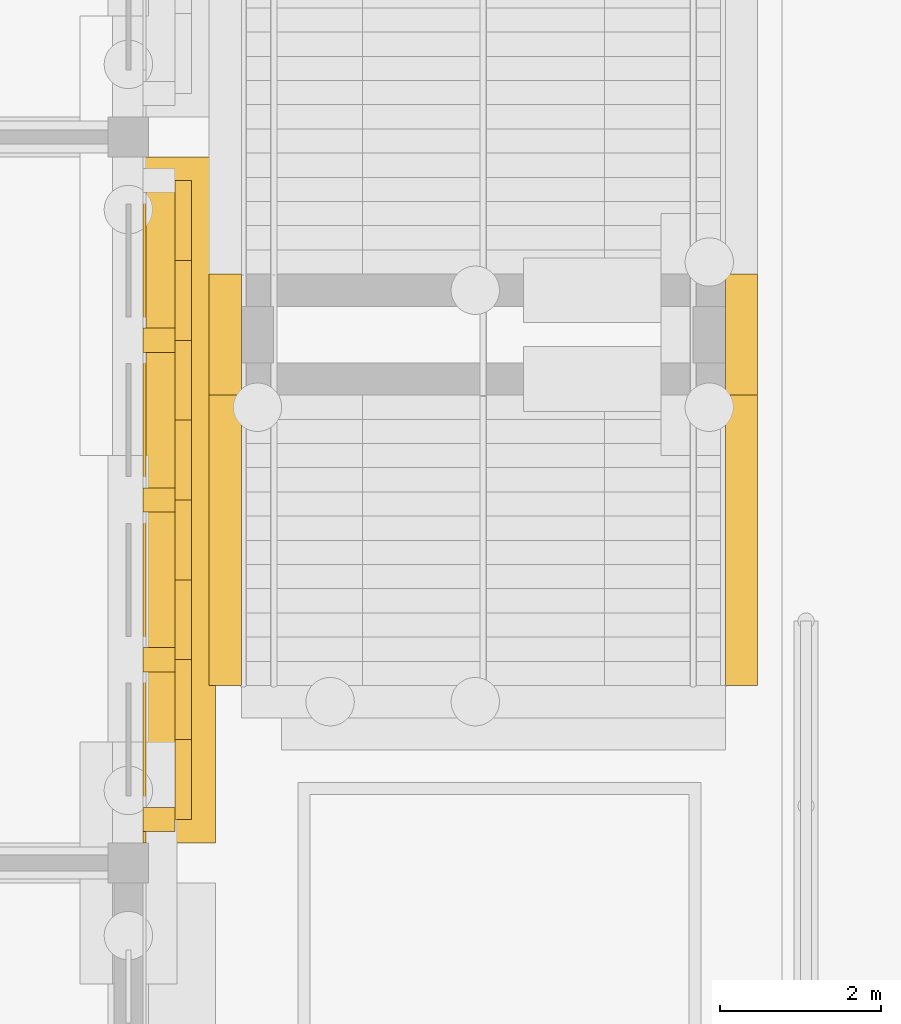
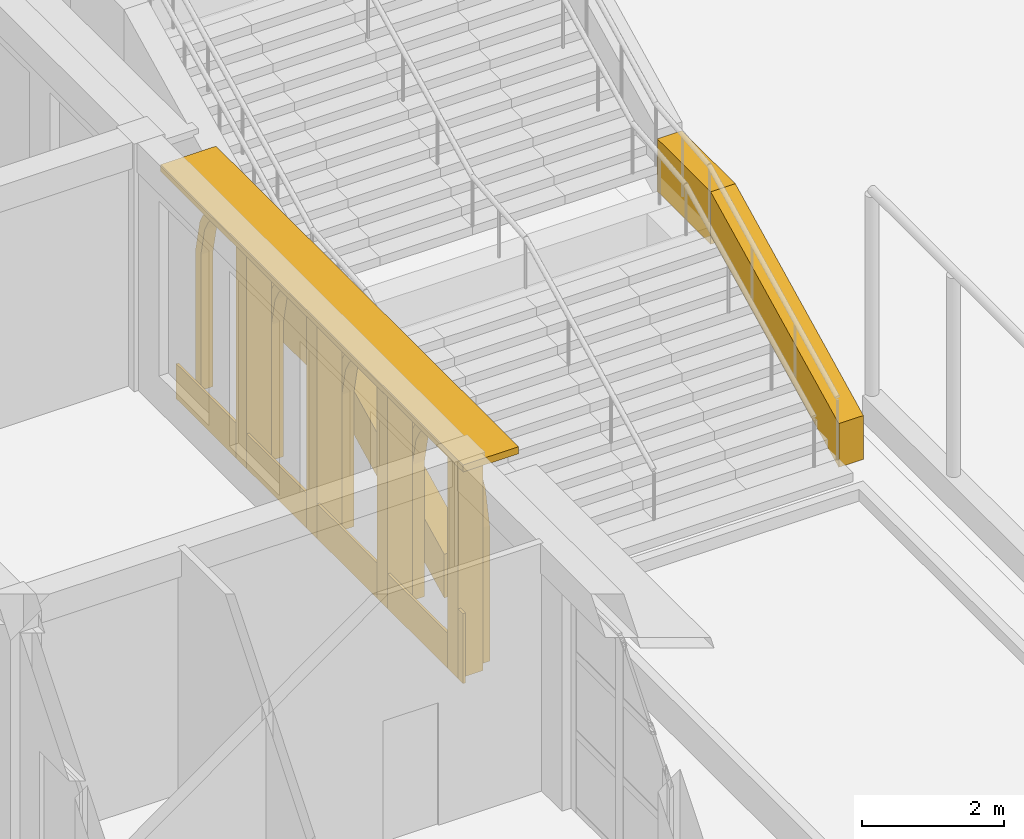
# One storey, part 128 of 161: 17 coverings, 1 shading device.
"""IFC4 building model written with IfcOpenShell, lengths in metres."""

from ifc_helpers import new_model, si_unit, direction, frame, origin, origin_2d, place, context, subcontext, project, spatial, polyline, rectangle, outline, extrude, material, layer, layer_set, type_object, element, save


model = new_model("IFC4")

# Units and contexts
model_context = context("Model", 3, precision=1e-05, world=origin(), true_north=direction((0.0, 1.0)))
body_context = subcontext(model_context, "Body", "Model", "MODEL_VIEW")
ifc_project = project(units=[si_unit("LENGTHUNIT", "METRE"), si_unit("AREAUNIT", "SQUARE_METRE"), si_unit("VOLUMEUNIT", "CUBIC_METRE"), si_unit("PLANEANGLEUNIT", "RADIAN"), si_unit("MASSUNIT", "GRAM", prefix="KILO")], contexts=[model_context])

# Site, building, storey
site_placement = place(None, origin())
site = spatial("IfcSite", under=ifc_project, at=site_placement, CompositionType="ELEMENT")
building_placement = place(site_placement, origin())
building = spatial("IfcBuilding", under=site, at=building_placement, Name="Elbe Cascade School", CompositionType="ELEMENT")
storey_placement = place(building_placement, origin())
storey = spatial("IfcBuildingStorey", under=building, at=storey_placement, Name="L00", CompositionType="ELEMENT", Elevation=0.0)

# Shading device
ifc_material_1 = material(Name="Precast concrete C30/37", Category="concrete")
ifc_layer_1 = layer(ifc_material_1, 0.1201171875)
ifc_layer_set_1 = layer_set([ifc_layer_1], Name="Precast concrete C30/37")
shading_device_type = type_object("IfcShadingDeviceType", Name="Bars envelope Chhajja eave, precast concrete, 900 x 120", PredefinedType="USERDEFINED", material=ifc_layer_set_1)
shading_device_placement = place(storey_placement, frame((175.530029296875, 19.5, 3.6298828125), z_axis=(0.0, 0.0, 1.0), x_axis=(0.0, 1.0, 0.0)))
element("IfcShadingDevice", 1, at=shading_device_placement, inside=storey, type_object=shading_device_type, Name="Chhajja eave SD2 D.L00.e2", ObjectType="CHHAJJA", PredefinedType="USERDEFINED", context=body_context, shape_type="SweptSolid", body=[
    extrude(rectangle(XDim=8.5, YDim=0.89990234375, at=origin_2d()), origin(), (0.0, 0.0, 1.0), 0.1201171875),
])

# Coverings
ifc_material_2 = material(Name="Precast concrete C40/50", Category="concrete")
covering_type_1 = type_object("IfcCoveringType", Name="Bars envelope Precast concrete fin, 300 wide, 400 deep", PredefinedType="CLADDING", material=ifc_material_2)
for number, where, z_axis, x_axis, name in (
    (2, (175.280029296875, 15.5400390625, 0.0), (0.0, 0.0, 1.0), (0.0, 1.0, 0.0), "Fin CV67 D.L00.e2.1"),
    (3, (175.280029296875, 17.52001953125, 0.0), (0.0, 0.0, 1.0), (0.0, 1.0, 0.0), "Fin CV67 D.L00.e2.2"),
    (4, (175.280029296875, 19.5, 0.0), (0.0, 0.0, 1.0), (0.0, 1.0, 0.0), "Fin CV67 D.L00.e2.3"),
    (5, (175.280029296875, 21.47998046875, 0.0), (0.0, 0.0, 1.0), (0.0, 1.0, 0.0), "Fin CV67 D.L00.e2.4"),
):
    element("IfcCovering", number, at=place(storey_placement, frame(where, z_axis=z_axis, x_axis=x_axis)), inside=storey, type_object=covering_type_1, Name=name, PredefinedType="CLADDING", context=body_context, shape_type="SweptSolid", body=[
        extrude(rectangle(XDim=0.300048828125, YDim=0.39990234375, at=origin_2d()), origin(), (0.0, 0.0, 1.0), 3.6298828125),
    ])
ifc_material_3 = material(Name="Sandstone - red", Category="masonry")
ifc_layer_2 = layer(ifc_material_3, 0.0400390625)
ifc_layer_set_2 = layer_set([ifc_layer_2], Name="Sandstone - red")
covering_type_2 = type_object("IfcCoveringType", Name="Bars envelope Sandstone cladding, red, 40 mm", PredefinedType="CLADDING", material=ifc_layer_set_2)
covering_1_placement = place(storey_placement, frame((175.10009765625, 15.320068359375, 0.0), z_axis=(0.0, 0.0, 1.0), x_axis=(0.0, 1.0, 0.0)))
element("IfcCovering", 6, at=covering_1_placement, inside=storey, type_object=covering_type_2, Name="Sandstone cladding CV48 D.L00.e.2.1", PredefinedType="CLADDING", context=body_context, shape_type="SweptSolid", body=[
    extrude(rectangle(XDim=0.139892578125, YDim=0.0400390625, at=origin_2d()), origin(), (0.0, 0.0, 1.0), 1.199951171875),
])
for number, where, z_axis, x_axis, name in (
    (7, (175.10009765625, 16.530029296875, 0.0), (0.0, 0.0, 1.0), (0.0, 1.0, 0.0), "Sandstone cladding CV48 D.L00.e.2.2"),
    (8, (175.10009765625, 18.510009765625, 0.0), (0.0, 0.0, 1.0), (0.0, 1.0, 0.0), "Sandstone cladding CV48 D.L00.e.2.3"),
    (9, (175.10009765625, 20.489990234375, 0.0), (0.0, 0.0, 1.0), (0.0, 1.0, 0.0), "Sandstone cladding CV48 D.L00.e.2.4"),
    (10, (175.10009765625, 22.469970703125, 0.0), (0.0, 0.0, 1.0), (0.0, 1.0, 0.0), "Sandstone cladding CV48 D.L00.e.2.5"),
):
    element("IfcCovering", number, at=place(storey_placement, frame(where, z_axis=z_axis, x_axis=x_axis)), inside=storey, type_object=covering_type_2, Name=name, PredefinedType="CLADDING", context=body_context, shape_type="SweptSolid", body=[
        extrude(rectangle(XDim=1.679931640625, YDim=0.0400390625, at=origin_2d()), origin(), (0.0, 0.0, 1.0), 0.60009765625),
    ])
ifc_material_4 = material(Name="Sandstone - red", Category="masonry")
covering_type_3 = type_object("IfcCoveringType", Name="Bars envelope Sandstone pointed arch band, 1980 wide, 200 deep", PredefinedType="CLADDING", material=ifc_material_4)
covering_2_placement = place(storey_placement, frame((175.679931640625, 15.68994140625, 0.0), z_axis=(1.0, 0.0, 0.0), x_axis=(0.0, 0.0, 1.0)))
element("IfcCovering", 11, at=covering_2_placement, inside=storey, type_object=covering_type_3, Name="Arcade arch CV68 D.L00.e2.1", PredefinedType="CLADDING", context=body_context, shape_type="SweptSolid", body=[
    extrude(outline(polyline([(0.0, 0.0), (2.330078125, 0.0), (2.822509765625, -0.10498046875), (3.010498046875, -0.2099609375), (3.143310546875, -0.31494140625), (3.2451171875, -0.420166015625), (3.325927734375, -0.525146484375), (3.390380859375, -0.630126953125), (3.44091796875, -0.735107421875), (3.47998046875, -0.840087890625), (3.44091796875, -0.945068359375), (3.390380859375, -1.050048828125), (3.325927734375, -1.155029296875), (3.2451171875, -1.260009765625), (3.143310546875, -1.364990234375), (3.010498046875, -1.469970703125), (2.822509765625, -1.574951171875), (2.330078125, -1.68017578125), (0.0, -1.68017578125), (0.0, -1.830078125), (2.330078125, -1.830078125), (2.894287109375, -1.706298828125), (3.108642578125, -1.58251953125), (3.25927734375, -1.458740234375), (3.3740234375, -1.3349609375), (3.464111328125, -1.21142578125), (3.53466796875, -1.087646484375), (3.58935546875, -0.9638671875), (3.6298828125, -0.840087890625), (3.58935546875, -0.71630859375), (3.53466796875, -0.592529296875), (3.464111328125, -0.46875), (3.3740234375, -0.344970703125), (3.25927734375, -0.221435546875), (3.108642578125, -0.09765625), (2.894287109375, 0.026123046875), (2.330078125, 0.14990234375), (0.0, 0.14990234375), (0.0, 0.0)])), origin(), (0.0, 0.0, -1.0), 0.199951171875),
])
covering_3_placement = place(storey_placement, frame((175.679931640625, 17.669921875, 0.0), z_axis=(1.0, 0.0, 0.0), x_axis=(0.0, 0.0, 1.0)))
element("IfcCovering", 12, at=covering_3_placement, inside=storey, type_object=covering_type_3, Name="Arcade arch CV68 D.L00.e2.2", PredefinedType="CLADDING", context=body_context, shape_type="SweptSolid", body=[
    extrude(outline(polyline([(0.0, 0.0), (2.330078125, 0.0), (2.822509765625, -0.10498046875), (3.010498046875, -0.2099609375), (3.143310546875, -0.315185546875), (3.2451171875, -0.420166015625), (3.325927734375, -0.525146484375), (3.390380859375, -0.630126953125), (3.44091796875, -0.735107421875), (3.47998046875, -0.840087890625), (3.44091796875, -0.945068359375), (3.390380859375, -1.050048828125), (3.325927734375, -1.155029296875), (3.2451171875, -1.260009765625), (3.143310546875, -1.364990234375), (3.010498046875, -1.469970703125), (2.822509765625, -1.5751953125), (2.330078125, -1.68017578125), (0.0, -1.68017578125), (0.0, -1.830078125), (2.330078125, -1.830078125), (2.894287109375, -1.706298828125), (3.108642578125, -1.58251953125), (3.25927734375, -1.458740234375), (3.3740234375, -1.3349609375), (3.464111328125, -1.211181640625), (3.53466796875, -1.087646484375), (3.58935546875, -0.9638671875), (3.6298828125, -0.840087890625), (3.58935546875, -0.71630859375), (3.53466796875, -0.592529296875), (3.464111328125, -0.46875), (3.3740234375, -0.344970703125), (3.25927734375, -0.22119140625), (3.108642578125, -0.09765625), (2.894287109375, 0.026123046875), (2.330078125, 0.14990234375), (0.0, 0.14990234375), (0.0, 0.0)])), origin(), (0.0, 0.0, -1.0), 0.199951171875),
])
covering_4_placement = place(storey_placement, frame((175.679931640625, 19.64990234375, 0.0), z_axis=(1.0, 0.0, 0.0), x_axis=(0.0, 0.0, 1.0)))
element("IfcCovering", 13, at=covering_4_placement, inside=storey, type_object=covering_type_3, Name="Arcade arch CV68 D.L00.e2.3", PredefinedType="CLADDING", context=body_context, shape_type="SweptSolid", body=[
    extrude(outline(polyline([(0.0, 0.0), (2.330078125, 0.0), (2.822509765625, -0.10498046875), (3.010498046875, -0.210205078125), (3.143310546875, -0.315185546875), (3.2451171875, -0.420166015625), (3.325927734375, -0.525146484375), (3.390380859375, -0.630126953125), (3.44091796875, -0.735107421875), (3.47998046875, -0.840087890625), (3.44091796875, -0.945068359375), (3.390380859375, -1.050048828125), (3.325927734375, -1.155029296875), (3.2451171875, -1.260009765625), (3.143310546875, -1.364990234375), (3.010498046875, -1.47021484375), (2.822509765625, -1.5751953125), (2.330078125, -1.68017578125), (0.0, -1.68017578125), (0.0, -1.830078125), (2.330078125, -1.830078125), (2.894287109375, -1.706298828125), (3.108642578125, -1.58251953125), (3.25927734375, -1.458984375), (3.3740234375, -1.335205078125), (3.464111328125, -1.21142578125), (3.53466796875, -1.087646484375), (3.58935546875, -0.9638671875), (3.6298828125, -0.840087890625), (3.58935546875, -0.71630859375), (3.53466796875, -0.592529296875), (3.464111328125, -0.468994140625), (3.3740234375, -0.34521484375), (3.25927734375, -0.221435546875), (3.108642578125, -0.09765625), (2.894287109375, 0.026123046875), (2.330078125, 0.14990234375), (0.0, 0.14990234375), (0.0, 0.0)])), origin(), (0.0, 0.0, -1.0), 0.199951171875),
])
covering_5_placement = place(storey_placement, frame((175.679931640625, 21.6298828125, 0.0), z_axis=(1.0, 0.0, 0.0), x_axis=(0.0, 0.0, 1.0)))
element("IfcCovering", 14, at=covering_5_placement, inside=storey, type_object=covering_type_3, Name="Arcade arch CV68 D.L00.e2.4", PredefinedType="CLADDING", context=body_context, shape_type="SweptSolid", body=[
    extrude(outline(polyline([(0.0, 0.0), (2.330078125, 0.0), (2.822509765625, -0.105224609375), (3.010498046875, -0.210205078125), (3.143310546875, -0.315185546875), (3.2451171875, -0.420166015625), (3.325927734375, -0.525146484375), (3.390380859375, -0.630126953125), (3.44091796875, -0.735107421875), (3.47998046875, -0.840087890625), (3.44091796875, -0.945068359375), (3.390380859375, -1.050048828125), (3.325927734375, -1.155029296875), (3.2451171875, -1.260009765625), (3.143310546875, -1.365234375), (3.010498046875, -1.47021484375), (2.822509765625, -1.5751953125), (2.330078125, -1.68017578125), (0.0, -1.68017578125), (0.0, -1.830078125), (2.330078125, -1.830078125), (2.894287109375, -1.706298828125), (3.108642578125, -1.58251953125), (3.25927734375, -1.458740234375), (3.3740234375, -1.335205078125), (3.464111328125, -1.21142578125), (3.53466796875, -1.087646484375), (3.58935546875, -0.9638671875), (3.6298828125, -0.840087890625), (3.58935546875, -0.71630859375), (3.53466796875, -0.592529296875), (3.464111328125, -0.46875), (3.3740234375, -0.34521484375), (3.25927734375, -0.221435546875), (3.108642578125, -0.09765625), (2.894287109375, 0.026123046875), (2.330078125, 0.14990234375), (0.0, 0.14990234375), (0.0, 0.0)])), origin(), (0.0, 0.0, -1.0), 0.199951171875),
])
ifc_material_5 = material(Name="Sandstone - red", Category="masonry")
ifc_layer_3 = layer(ifc_material_5, 0.39990234375)
ifc_layer_set_3 = layer_set([ifc_layer_3], Name="Sandstone - red")
covering_type_4 = type_object("IfcCoveringType", Name="Cascade cheek wall 400", PredefinedType="CLADDING", material=ifc_layer_set_3)
covering_6_placement = place(storey_placement, frame((175.89990234375, 17.199951171875, 0.74951171875), z_axis=(0.0, -0.445901995616, 0.89508178973), x_axis=(0.0, 0.89508178973, 0.445901995616)))
element("IfcCovering", 15, at=covering_6_placement, inside=storey, type_object=covering_type_4, Name="Cascade flight 1 cheek wall w", PredefinedType="CLADDING", context=body_context, shape_type="SweptSolid", body=[
    extrude(outline(polyline([(0.0, 0.0), (4.022087922643761, 0.0), (4.022087922643761, -0.400146484375), (0.0, -0.400146484375), (0.0, 0.0)])), origin(), (-0.445901995616, 0.0, -0.89508178973), 0.74951171875),
])
covering_7_placement = place(storey_placement, frame((0.0, 0.0, 1.642822265625)))
element("IfcCovering", 16, at=covering_7_placement, inside=storey, type_object=covering_type_4, Name="Cascade landing 1 cheek wall w", PredefinedType="CLADDING", context=body_context, shape_type="SweptSolid", body=[
    extrude(outline(polyline([(175.89990234375, 20.800048828125), (176.300048828125, 20.800048828125), (176.300048828125, 22.300048828125), (175.89990234375, 22.300048828125), (175.89990234375, 20.800048828125)])), origin(), (0.0, 0.0, 1.0), 0.900146484375),
])
covering_8_placement = place(storey_placement, frame((182.300048828125, 17.199951171875, 0.74951171875), z_axis=(0.0, -0.445901995616, 0.89508178973), x_axis=(0.0, 0.89508178973, 0.445901995616)))
element("IfcCovering", 17, at=covering_8_placement, inside=storey, type_object=covering_type_4, Name="Cascade flight 1 cheek wall e", PredefinedType="CLADDING", context=body_context, shape_type="SweptSolid", body=[
    extrude(outline(polyline([(0.0, 0.0), (4.022087922643761, 0.0), (4.022087922643761, -0.39990234375), (0.0, -0.39990234375), (0.0, 0.0)])), origin(), (-0.445901995616, 0.0, -0.89508178973), 0.74951171875),
])
covering_9_placement = place(storey_placement, frame((0.0, 0.0, 1.642822265625)))
element("IfcCovering", 18, at=covering_9_placement, inside=storey, type_object=covering_type_4, Name="Cascade landing 1 cheek wall e", PredefinedType="CLADDING", context=body_context, shape_type="SweptSolid", body=[
    extrude(outline(polyline([(182.300048828125, 20.800048828125), (182.699951171875, 20.800048828125), (182.699951171875, 22.300048828125), (182.300048828125, 22.300048828125), (182.300048828125, 20.800048828125)])), origin(), (0.0, 0.0, 1.0), 0.900146484375),
])

save(model, "model.ifc")
